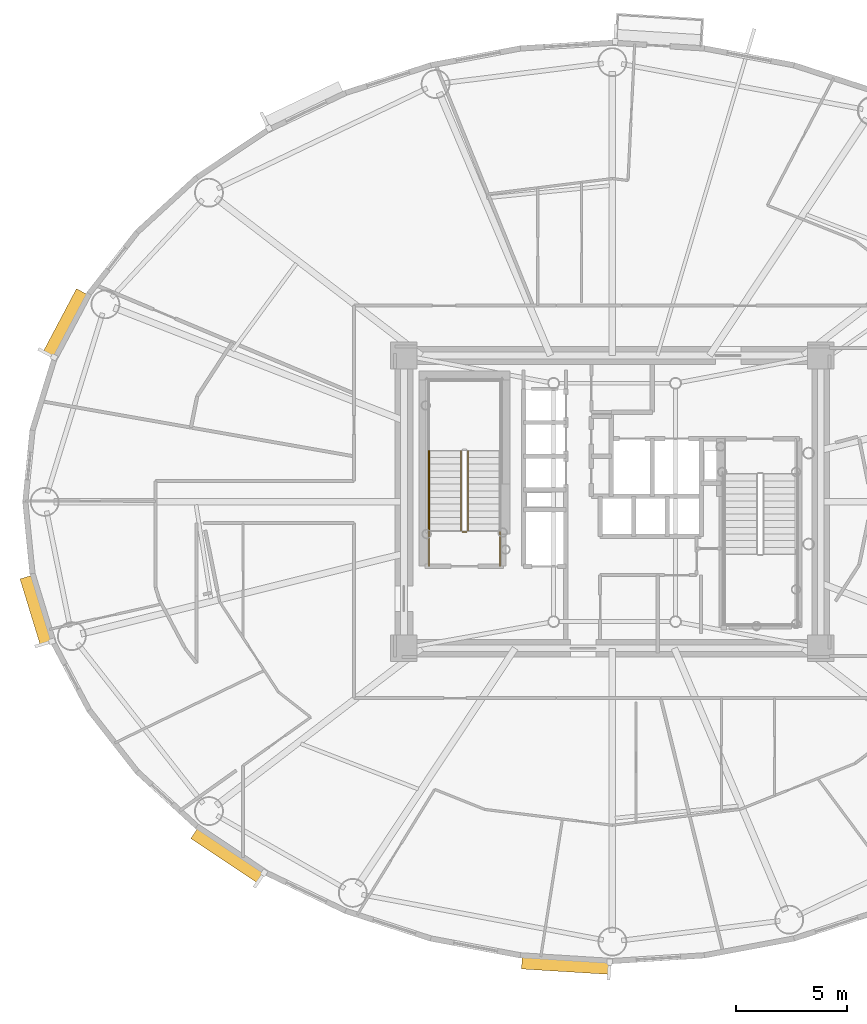
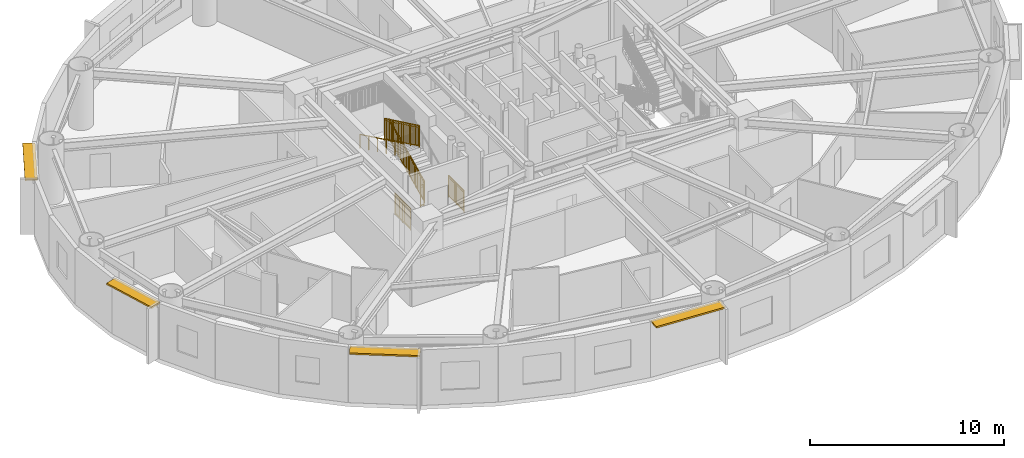
# One storey, part 12 of 18: 6 railings, 4 shading devices.
"""IFC4 building model written with IfcOpenShell, lengths in metres."""

import ifcopenshell
import ifcopenshell.guid

model = None  # the IFC model being written
_history = None  # IfcOwnerHistory: only IFC2X3 demands one
_inside = {}  # id of a spatial element -> (the spatial element, [elements in it])
_under = {}  # id of a project, library or spatial element -> (it, [spatial elements below it])
_declared = {}  # id of a project -> (the project, [libraries it declares])
_typed = {}  # id of a type object -> (the type object, [elements of that type])
_made_of = {}  # id of a material, layer set ... -> (it, [elements and type objects made of it])


def new_model(schema):
    """Start an empty IFC model of exactly this schema.

    Asked for "IFC4X3", IfcOpenShell would pick the latest addendum, in which some entities
    have other attributes; the version numbers below select the first issue.
    IFC2X3 requires an IfcOwnerHistory on every rooted entity: one is made here for all.
    """
    global model, _history
    if schema == "IFC4X3":
        model = ifcopenshell.file(schema_version=(4, 3, 0, 0))
    else:
        model = ifcopenshell.file(schema=schema)
    _inside.clear()
    _under.clear()
    _declared.clear()
    _typed.clear()
    _made_of.clear()
    _history = None
    if model.schema == "IFC2X3":
        org = make("IfcOrganization", Name="unknown")
        user = make(
            "IfcPersonAndOrganization",
            ThePerson=make("IfcPerson", FamilyName="unknown"),
            TheOrganization=org,
        )
        app = make(
            "IfcApplication",
            ApplicationDeveloper=org,
            Version="unknown",
            ApplicationFullName="unknown",
            ApplicationIdentifier="unknown",
        )
        _history = make(
            "IfcOwnerHistory",
            OwningUser=user,
            OwningApplication=app,
            ChangeAction="ADDED",
            CreationDate=0,
        )
    return model


def make(cls, **values):
    """One entity of the class cls with the attributes given. An attribute that is None is left unset."""
    return model.create_entity(
        cls, **{name: value for name, value in values.items() if value is not None}
    )


def rooted(cls, **values):
    """An entity with a GlobalId (a new one), such as an element, a storey or a relation."""
    return make(cls, GlobalId=ifcopenshell.guid.new(), OwnerHistory=_history, **values)


def si_unit(unit_type, name, prefix=None):
    """IfcSIUnit, for example si_unit("LENGTHUNIT", "METRE", prefix="MILLI")."""
    return make("IfcSIUnit", UnitType=unit_type, Prefix=prefix, Name=name)


def assignment(units):
    """IfcUnitAssignment: the units of a project."""
    return None if units is None else make("IfcUnitAssignment", Units=units)


def point(xyz):
    """IfcCartesianPoint."""
    return None if xyz is None else make("IfcCartesianPoint", Coordinates=xyz)


def direction(xyz):
    """IfcDirection."""
    return None if xyz is None else make("IfcDirection", DirectionRatios=xyz)


def frame(location, z_axis=None, x_axis=None):
    """IfcAxis2Placement3D, a coordinate frame: its origin and axes. An axis left out is left unset."""
    return make(
        "IfcAxis2Placement3D",
        Location=point(location),
        Axis=direction(z_axis),
        RefDirection=direction(x_axis),
    )


def frame_2d(location, x_axis=None):
    """IfcAxis2Placement2D, a coordinate frame in the plane: its origin and x axis."""
    return make(
        "IfcAxis2Placement2D", Location=point(location), RefDirection=direction(x_axis)
    )


def origin():
    """The frame at (0, 0, 0) with its axes left unset."""
    return frame((0.0, 0.0, 0.0))


def origin_2d():
    """The frame at (0, 0) in the plane with its x axis left unset."""
    return frame_2d((0.0, 0.0))


def place(relative_to, where):
    """IfcLocalPlacement: puts the frame where relative to a parent placement (None: the world)."""
    return make(
        "IfcLocalPlacement", PlacementRelTo=relative_to, RelativePlacement=where
    )


def context(
    kind, dimensions, precision=None, world=None, true_north=None, identifier=None
):
    """IfcGeometricRepresentationContext, for example the 3D "Model" context."""
    return make(
        "IfcGeometricRepresentationContext",
        ContextIdentifier=identifier,
        ContextType=kind,
        CoordinateSpaceDimension=dimensions,
        Precision=precision,
        WorldCoordinateSystem=world,
        TrueNorth=true_north,
    )


def subcontext(parent, identifier, kind, view, scale=None):
    """IfcGeometricRepresentationSubContext, for example "Body" below "Model"."""
    return make(
        "IfcGeometricRepresentationSubContext",
        ContextIdentifier=identifier,
        ContextType=kind,
        ParentContext=parent,
        TargetScale=scale,
        TargetView=view,
    )


def project(units=None, contexts=None):
    """IfcProject with its units and contexts."""
    return rooted(
        "IfcProject",
        Name="project",
        RepresentationContexts=contexts,
        UnitsInContext=assignment(units),
    )


def spatial(cls, under=None, at=None, **own):
    """A site, building, storey or space (cls), placed at a placement, below another one or the project."""
    s = rooted(cls, ObjectPlacement=at, **own)
    if under is not None:
        _under.setdefault(under.id(), (under, []))[1].append(s)
    return s


def profile(cls, at=None, kind="AREA", **sizes):
    """A parametric profile (cls). Its sizes go by their IFC names, for example OverallWidth=200.0."""
    return make(cls, ProfileType=kind, Position=at, **sizes)


def rectangle(**sizes):
    """IfcRectangleProfileDef."""
    return profile("IfcRectangleProfileDef", **sizes)


def extrude(swept, where, along, depth):
    """IfcExtrudedAreaSolid: the profile swept, set in the frame where, extruded along a direction by depth."""
    return make(
        "IfcExtrudedAreaSolid",
        SweptArea=swept,
        Position=where,
        ExtrudedDirection=direction(along),
        Depth=depth,
    )


def shape(context_of_items, identifier, shape_type, items):
    """IfcShapeRepresentation: the items that make up one representation, for example the "Body"."""
    return make(
        "IfcShapeRepresentation",
        ContextOfItems=context_of_items,
        RepresentationIdentifier=identifier,
        RepresentationType=shape_type,
        Items=items,
    )


def source(mapping_origin, context_of_items, identifier, shape_type, items):
    """IfcRepresentationMap: a shape defined once, which mapped items show again and again."""
    return make(
        "IfcRepresentationMap",
        MappingOrigin=mapping_origin,
        MappedRepresentation=shape(context_of_items, identifier, shape_type, items),
    )


def transform(
    local_origin,
    x_axis=None,
    y_axis=None,
    z_axis=None,
    scale=None,
    scale2=None,
    scale3=None,
    uniform=True,
):
    """IfcCartesianTransformationOperator3D, or its non-uniform kind. x_axis, y_axis, z_axis: its Axis1, 2, 3."""
    if uniform:
        return make(
            "IfcCartesianTransformationOperator3D",
            Axis1=direction(x_axis),
            Axis2=direction(y_axis),
            LocalOrigin=point(local_origin),
            Scale=scale,
            Axis3=direction(z_axis),
        )
    return make(
        "IfcCartesianTransformationOperator3DnonUniform",
        Axis1=direction(x_axis),
        Axis2=direction(y_axis),
        LocalOrigin=point(local_origin),
        Scale=scale,
        Axis3=direction(z_axis),
        Scale2=scale2,
        Scale3=scale3,
    )


def mapped(mapping_source, mapping_target):
    """IfcMappedItem: shows the shape of a source again, moved by a transform."""
    return make(
        "IfcMappedItem", MappingSource=mapping_source, MappingTarget=mapping_target
    )


def material(Name=None, Category=None):
    """IfcMaterial."""
    return make("IfcMaterial", Name=Name, Category=Category)


def layer(
    of_material, thickness, ventilated=None, Name=None, Category=None, Priority=None
):
    """IfcMaterialLayer: one layer of a wall or slab, of a material (None: an air gap)."""
    return make(
        "IfcMaterialLayer",
        Material=of_material,
        LayerThickness=thickness,
        IsVentilated=ventilated,
        Name=Name,
        Category=Category,
        Priority=Priority,
    )


def layer_set(layers, Name=None):
    """IfcMaterialLayerSet."""
    return make("IfcMaterialLayerSet", MaterialLayers=layers, LayerSetName=Name)


def made_of(thing, what):
    """Note that an element or type object is made of a material, layer set ...; save() writes the relation."""
    if what is not None:
        _made_of.setdefault(what.id(), (what, []))[1].append(thing)
    return thing


def type_object(cls, material=None, **own):
    """A type object (cls), such as IfcWallType, which elements share."""
    return made_of(rooted(cls, **own), material)


def element(
    cls,
    number,
    at=None,
    inside=None,
    cuts=None,
    type_object=None,
    material=None,
    context=None,
    identifier="Body",
    shape_type=None,
    held_by="IfcProductDefinitionShape",
    body=None,
    shapes=None,
    **own,
):
    """One element of the class cls, such as IfcWall. Its Tag is "e" and its number.

    at: its placement. inside: the storey or other place that contains it. cuts: it is an
    opening in that element (IfcRelVoidsElement). A single representation is given by context,
    identifier, shape_type and body (its items); several are given by shapes. held_by: the class
    of the entity that holds the representations. save() writes the other relations.
    """
    e = rooted(cls, Tag="e%d" % number, ObjectPlacement=at, **own)
    if body is not None:
        shapes = [shape(context, identifier, shape_type, body)]
    if shapes is not None:
        e.Representation = make(held_by, Representations=shapes)
    if inside is not None:
        _inside.setdefault(inside.id(), (inside, []))[1].append(e)
    if cuts is not None:
        rooted(
            "IfcRelVoidsElement", RelatingBuildingElement=cuts, RelatedOpeningElement=e
        )
    if type_object is not None:
        _typed.setdefault(type_object.id(), (type_object, []))[1].append(e)
    return made_of(e, material)


def aggregate(whole, parts):
    """IfcRelAggregates: a whole, such as a stair, and the parts it consists of."""
    return rooted("IfcRelAggregates", RelatingObject=whole, RelatedObjects=parts)


def save(model, path):
    """Write the relations noted so far, then the file.

    IfcRelAggregates (storeys below a building ...), IfcRelContainedInSpatialStructure (elements
    in a storey), IfcRelDefinesByType, IfcRelAssociatesMaterial and IfcRelDeclares: one each for
    every whole, place, type object, material and project.
    """
    for whole, parts in _under.values():
        aggregate(whole, parts)
    for where, things in _inside.values():
        rooted(
            "IfcRelContainedInSpatialStructure",
            RelatedElements=things,
            RelatingStructure=where,
        )
    for kind, things in _typed.values():
        rooted("IfcRelDefinesByType", RelatedObjects=things, RelatingType=kind)
    for what, things in _made_of.values():
        rooted("IfcRelAssociatesMaterial", RelatedObjects=things, RelatingMaterial=what)
    for by, libraries in _declared.values():
        rooted("IfcRelDeclares", RelatingContext=by, RelatedDefinitions=libraries)
    model.write(path)


model = new_model("IFC4")

# Units and contexts
model_context = context("Model", 3, precision=1e-05, world=origin(), true_north=direction((0.0, 1.0)))
body_context = subcontext(model_context, "Body", "Model", "MODEL_VIEW")
ifc_project = project(units=[si_unit("LENGTHUNIT", "METRE"), si_unit("AREAUNIT", "SQUARE_METRE"), si_unit("VOLUMEUNIT", "CUBIC_METRE"), si_unit("PLANEANGLEUNIT", "RADIAN"), si_unit("MASSUNIT", "GRAM", prefix="KILO")], contexts=[model_context])

# Site, building, storey
site_placement = place(None, origin())
site = spatial("IfcSite", under=ifc_project, at=site_placement, CompositionType="ELEMENT")
building_placement = place(site_placement, origin())
building = spatial("IfcBuilding", under=site, at=building_placement, Name="Linh Dai School and Residence Tower", CompositionType="ELEMENT")
storey_placement = place(building_placement, frame((0.0, 0.0, 186.14990234375)))
storey = spatial("IfcBuildingStorey", under=building, at=storey_placement, Name="L45", CompositionType="ELEMENT", Elevation=186.14990234375)

# Shading devices
ifc_material_1 = material(Name="Terracotta Ceramic Sunshade", Category="masonry")
ifc_layer = layer(ifc_material_1, 0.10009765625)
ifc_layer_set = layer_set([ifc_layer], Name="Terracotta Ceramic Sunshade")
shading_device_type = type_object("IfcShadingDeviceType", Name="SHD-TC-650", PredefinedType="USERDEFINED", material=ifc_layer_set)
shared_shape_1 = source(origin(), body_context, "Body", "SweptSolid", [
    extrude(rectangle(XDim=3.168212890625, YDim=0.64990234375, at=origin_2d()), origin(), (0.0, 0.0, 1.0), 0.10009765625),
])
shading_device_1_placement = place(storey_placement, frame((10.061279296875, 22.105224609375, 3.380126953125), z_axis=(0.0, 0.0, 1.0), x_axis=(-0.293121969301, 0.956075055167, 0.0)))
element("IfcShadingDevice", 1, at=shading_device_1_placement, inside=storey, type_object=shading_device_type, Name="L45 Terracotta Horizontal Sunshade Band 22", ObjectType="SUNSHADE", PredefinedType="USERDEFINED", context=body_context, shape_type="MappedRepresentation", body=[
    mapped(shared_shape_1, transform((0.0, 0.0, 0.0), x_axis=(1.0, 0.0, 0.0), y_axis=(0.0, 1.0, 0.0), z_axis=(0.0, 0.0, 1.0), scale=1.0)),
])
shared_shape_2 = source(origin(), body_context, "Body", "SweptSolid", [
    extrude(rectangle(XDim=3.64794921875, YDim=0.64990234375, at=origin_2d()), origin(), (0.0, 0.0, 1.0), 0.10009765625),
])
shading_device_2_placement = place(storey_placement, frame((18.68896484375, 11.076171875, 3.380126953125), z_axis=(0.0, 0.0, 1.0), x_axis=(-0.831228338651, 0.555931154932, 0.0)))
element("IfcShadingDevice", 2, at=shading_device_2_placement, inside=storey, type_object=shading_device_type, Name="L45 Terracotta Horizontal Sunshade Band 26", ObjectType="SUNSHADE", PredefinedType="USERDEFINED", context=body_context, shape_type="MappedRepresentation", body=[
    mapped(shared_shape_2, transform((0.0, 0.0, 0.0), x_axis=(1.0, 0.0, 0.0), y_axis=(0.0, 1.0, 0.0), z_axis=(0.0, 0.0, 1.0), scale=1.0)),
])
shared_shape_3 = source(origin(), body_context, "Body", "SweptSolid", [
    extrude(rectangle(XDim=3.987548828125, YDim=0.64990234375, at=origin_2d()), origin(), (0.0, 0.0, 1.0), 0.10009765625),
])
shading_device_3_placement = place(storey_placement, frame((33.90966796875, 6.13818359375, 3.380126953125), z_axis=(0.0, 0.0, 1.0), x_axis=(-0.99810632076, 0.061512376467, 0.0)))
element("IfcShadingDevice", 3, at=shading_device_3_placement, inside=storey, type_object=shading_device_type, Name="L45 Terracotta Horizontal Sunshade Band 30", ObjectType="SUNSHADE", PredefinedType="USERDEFINED", context=body_context, shape_type="MappedRepresentation", body=[
    mapped(shared_shape_3, transform((0.0, 0.0, 0.0), x_axis=(1.0, 0.0, 0.0), y_axis=(0.0, 1.0, 0.0), z_axis=(0.0, 0.0, 1.0), scale=1.0)),
])
shared_shape_4 = source(origin(), body_context, "Body", "SweptSolid", [
    extrude(rectangle(XDim=3.257568359375, YDim=0.64990234375, at=origin_2d()), origin(), (0.0, 0.0, 1.0), 0.10009765625),
])
shading_device_4_placement = place(storey_placement, frame((11.358642578125, 35.02197265625, 3.380126953125), z_axis=(0.0, 0.0, 1.0), x_axis=(0.467580060884, 0.883950726378, 0.0)))
element("IfcShadingDevice", 4, at=shading_device_4_placement, inside=storey, type_object=shading_device_type, Name="L45 Terracotta Horizontal Sunshade Band 18", ObjectType="SUNSHADE", PredefinedType="USERDEFINED", context=body_context, shape_type="MappedRepresentation", body=[
    mapped(shared_shape_4, transform((0.0, 0.0, 0.0), x_axis=(1.0, 0.0, 0.0), y_axis=(0.0, 1.0, 0.0), z_axis=(0.0, 0.0, 1.0), scale=1.0)),
])

# Railings
ifc_material_2 = material(Name="Structural Steel S355JR", Category="steel")
railing_type_1 = type_object("IfcRailingType", Name="RL-ST-GUARD-1400", PredefinedType="GUARDRAIL", material=ifc_material_2)
shared_shape_5 = source(origin(), body_context, "Body", "SweptSolid", [
    extrude(rectangle(XDim=0.048095703125, YDim=0.048095703125, at=origin_2d()), frame((0.0, 0.0, 1.3759765625), z_axis=(-1.0, 0.0, 0.0), x_axis=(0.0, -1.0, 0.0)), (0.0, 0.0, 1.0), 0.199951171875),
    extrude(rectangle(XDim=0.048095703125, YDim=0.048095703125, at=origin_2d()), frame((0.0, 0.0, 0.10009765625), z_axis=(-1.0, 0.0, 0.0), x_axis=(0.0, -1.0, 0.0)), (0.0, 0.0, 1.0), 0.199951171875),
    extrude(rectangle(XDim=0.030029296875, YDim=0.030029296875, at=origin_2d()), frame((0.0, 0.0, 1.239990234375), z_axis=(-1.0, 0.0, 0.0), x_axis=(0.0, -1.0, 0.0)), (0.0, 0.0, 1.0), 0.199951171875),
    extrude(rectangle(XDim=0.0419921875, YDim=0.0419921875, at=origin_2d()), origin(), (0.0, 0.0, 1.0), 1.3759765625),
    extrude(rectangle(XDim=0.0419921875, YDim=0.0419921875, at=origin_2d()), frame((-0.199951171875, 0.0, 0.0)), (0.0, 0.0, 1.0), 1.3759765625),
])
railing_1_placement = place(storey_placement, frame((29.429931640625, 25.64990234375, 0.0)))
element("IfcRailing", 5, at=railing_1_placement, inside=storey, type_object=railing_type_1, Name="L45 ST1 stair guard 7", PredefinedType="GUARDRAIL", context=body_context, shape_type="MappedRepresentation", body=[
    mapped(shared_shape_5, transform((0.0, 0.0, 0.0), x_axis=(1.0, 0.0, 0.0), y_axis=(0.0, 1.0, 0.0), z_axis=(0.0, 0.0, 1.0), scale=1.0)),
])
shared_shape_6 = source(origin(), body_context, "Body", "SweptSolid", [
    extrude(rectangle(XDim=0.048095703125, YDim=0.048095703125, at=origin_2d()), frame((0.0, 0.0, 1.3759765625), z_axis=(0.0, 1.0, 0.0), x_axis=(-1.0, 0.0, 0.0)), (0.0, 0.0, 1.0), 1.599853515625),
    extrude(rectangle(XDim=0.048095703125, YDim=0.048095703125, at=origin_2d()), frame((0.0, 0.0, 0.10009765625), z_axis=(0.0, 1.0, 0.0), x_axis=(-1.0, 0.0, 0.0)), (0.0, 0.0, 1.0), 1.599853515625),
    extrude(rectangle(XDim=0.030029296875, YDim=0.030029296875, at=origin_2d()), frame((0.0, 0.0, 1.239990234375), z_axis=(0.0, 1.0, 0.0), x_axis=(-1.0, 0.0, 0.0)), (0.0, 0.0, 1.0), 1.599853515625),
    extrude(rectangle(XDim=0.02001953125, YDim=0.02001953125, at=origin_2d()), frame((0.0, 0.093994140625, 0.10009765625)), (0.0, 0.0, 1.0), 1.251708984375),
    extrude(rectangle(XDim=0.02001953125, YDim=0.02001953125, at=origin_2d()), frame((0.0, 0.188232421875, 0.10009765625)), (0.0, 0.0, 1.0), 1.251708984375),
    extrude(rectangle(XDim=0.02001953125, YDim=0.02001953125, at=origin_2d()), frame((0.0, 0.2822265625, 0.10009765625)), (0.0, 0.0, 1.0), 1.251708984375),
    extrude(rectangle(XDim=0.02001953125, YDim=0.02001953125, at=origin_2d()), frame((0.0, 0.37646484375, 0.10009765625)), (0.0, 0.0, 1.0), 1.251708984375),
    extrude(rectangle(XDim=0.02001953125, YDim=0.02001953125, at=origin_2d()), frame((0.0, 0.470458984375, 0.10009765625)), (0.0, 0.0, 1.0), 1.251708984375),
    extrude(rectangle(XDim=0.02001953125, YDim=0.02001953125, at=origin_2d()), frame((0.0, 0.564697265625, 0.10009765625)), (0.0, 0.0, 1.0), 1.251708984375),
    extrude(rectangle(XDim=0.02001953125, YDim=0.02001953125, at=origin_2d()), frame((0.0, 0.65869140625, 0.10009765625)), (0.0, 0.0, 1.0), 1.251708984375),
    extrude(rectangle(XDim=0.02001953125, YDim=0.02001953125, at=origin_2d()), frame((0.0, 0.7529296875, 0.10009765625)), (0.0, 0.0, 1.0), 1.251708984375),
    extrude(rectangle(XDim=0.02001953125, YDim=0.02001953125, at=origin_2d()), frame((0.0, 0.846923828125, 0.10009765625)), (0.0, 0.0, 1.0), 1.251708984375),
    extrude(rectangle(XDim=0.02001953125, YDim=0.02001953125, at=origin_2d()), frame((0.0, 0.941162109375, 0.10009765625)), (0.0, 0.0, 1.0), 1.251708984375),
    extrude(rectangle(XDim=0.02001953125, YDim=0.02001953125, at=origin_2d()), frame((0.0, 1.03515625, 0.10009765625)), (0.0, 0.0, 1.0), 1.251708984375),
    extrude(rectangle(XDim=0.02001953125, YDim=0.02001953125, at=origin_2d()), frame((0.0, 1.12939453125, 0.10009765625)), (0.0, 0.0, 1.0), 1.251708984375),
    extrude(rectangle(XDim=0.02001953125, YDim=0.02001953125, at=origin_2d()), frame((0.0, 1.223388671875, 0.10009765625)), (0.0, 0.0, 1.0), 1.251708984375),
    extrude(rectangle(XDim=0.02001953125, YDim=0.02001953125, at=origin_2d()), frame((0.0, 1.317626953125, 0.10009765625)), (0.0, 0.0, 1.0), 1.251708984375),
    extrude(rectangle(XDim=0.02001953125, YDim=0.02001953125, at=origin_2d()), frame((0.0, 1.41162109375, 0.10009765625)), (0.0, 0.0, 1.0), 1.251708984375),
    extrude(rectangle(XDim=0.02001953125, YDim=0.02001953125, at=origin_2d()), frame((0.0, 1.505859375, 0.10009765625)), (0.0, 0.0, 1.0), 1.251708984375),
    extrude(rectangle(XDim=0.0419921875, YDim=0.0419921875, at=origin_2d()), origin(), (0.0, 0.0, 1.0), 1.3759765625),
    extrude(rectangle(XDim=0.0419921875, YDim=0.0419921875, at=origin_2d()), frame((0.0, 0.7998046875, 0.0)), (0.0, 0.0, 1.0), 1.3759765625),
    extrude(rectangle(XDim=0.0419921875, YDim=0.0419921875, at=origin_2d()), frame((0.0, 1.599853515625, 0.0)), (0.0, 0.0, 1.0), 1.3759765625),
])
for number, where, name in (
    (6, (30.929931640625, 24.10009765625, 0.0), "L45 ST1 stair guard 8"),
    (7, (27.72998046875, 24.10009765625, 0.0), "L45 ST1 stair guard 9"),
):
    element("IfcRailing", number, at=place(storey_placement, frame(where)), inside=storey, type_object=railing_type_1, Name=name, PredefinedType="GUARDRAIL", context=body_context, shape_type="MappedRepresentation", body=[
        mapped(shared_shape_6, transform((0.0, 0.0, 0.0), x_axis=(1.0, 0.0, 0.0), y_axis=(0.0, 1.0, 0.0), z_axis=(0.0, 0.0, 1.0), scale=1.0)),
    ])
shared_shape_7 = source(origin(), body_context, "Body", "SweptSolid", [
    extrude(rectangle(XDim=0.048095703125, YDim=0.048095703125, at=origin_2d()), frame((0.0, 0.0, 1.3759765625), z_axis=(0.0, 0.901262522062, 0.433273431364), x_axis=(-1.0, 0.0, 0.0)), (0.0, 0.0, 1.0), 3.994384765625),
    extrude(rectangle(XDim=0.048095703125, YDim=0.048095703125, at=origin_2d()), frame((0.0, 0.0, 0.10009765625), z_axis=(0.0, 0.901262522062, 0.433273431364), x_axis=(-1.0, 0.0, 0.0)), (0.0, 0.0, 1.0), 3.994384765625),
    extrude(rectangle(XDim=0.030029296875, YDim=0.030029296875, at=origin_2d()), frame((0.0, 0.0, 1.239990234375), z_axis=(0.0, 0.901262522062, 0.433273431364), x_axis=(-1.0, 0.0, 0.0)), (0.0, 0.0, 1.0), 3.994384765625),
    extrude(rectangle(XDim=0.02001953125, YDim=0.02001953125, at=origin_2d()), frame((0.0, 0.087890625, 0.142333984375)), (0.0, 0.0, 1.0), 1.251708984375),
    extrude(rectangle(XDim=0.02001953125, YDim=0.02001953125, at=origin_2d()), frame((0.0, 0.175537109375, 0.1845703125)), (0.0, 0.0, 1.0), 1.251708984375),
    extrude(rectangle(XDim=0.02001953125, YDim=0.02001953125, at=origin_2d()), frame((0.0, 0.263427734375, 0.226806640625)), (0.0, 0.0, 1.0), 1.251708984375),
    extrude(rectangle(XDim=0.02001953125, YDim=0.02001953125, at=origin_2d()), frame((0.0, 0.351318359375, 0.26904296875)), (0.0, 0.0, 1.0), 1.251708984375),
    extrude(rectangle(XDim=0.02001953125, YDim=0.02001953125, at=origin_2d()), frame((0.0, 0.43896484375, 0.311279296875)), (0.0, 0.0, 1.0), 1.251708984375),
    extrude(rectangle(XDim=0.02001953125, YDim=0.02001953125, at=origin_2d()), frame((0.0, 0.52685546875, 0.353271484375)), (0.0, 0.0, 1.0), 1.251708984375),
    extrude(rectangle(XDim=0.02001953125, YDim=0.02001953125, at=origin_2d()), frame((0.0, 0.61474609375, 0.3955078125)), (0.0, 0.0, 1.0), 1.251708984375),
    extrude(rectangle(XDim=0.02001953125, YDim=0.02001953125, at=origin_2d()), frame((0.0, 0.702392578125, 0.437744140625)), (0.0, 0.0, 1.0), 1.251708984375),
    extrude(rectangle(XDim=0.02001953125, YDim=0.02001953125, at=origin_2d()), frame((0.0, 0.790283203125, 0.47998046875)), (0.0, 0.0, 1.0), 1.251708984375),
    extrude(rectangle(XDim=0.02001953125, YDim=0.02001953125, at=origin_2d()), frame((0.0, 0.9658203125, 0.564453125)), (0.0, 0.0, 1.0), 1.251708984375),
    extrude(rectangle(XDim=0.02001953125, YDim=0.02001953125, at=origin_2d()), frame((0.0, 1.0537109375, 0.606689453125)), (0.0, 0.0, 1.0), 1.251708984375),
    extrude(rectangle(XDim=0.02001953125, YDim=0.02001953125, at=origin_2d()), frame((0.0, 1.1416015625, 0.64892578125)), (0.0, 0.0, 1.0), 1.251708984375),
    extrude(rectangle(XDim=0.02001953125, YDim=0.02001953125, at=origin_2d()), frame((0.0, 1.229248046875, 0.691162109375)), (0.0, 0.0, 1.0), 1.251708984375),
    extrude(rectangle(XDim=0.02001953125, YDim=0.02001953125, at=origin_2d()), frame((0.0, 1.317138671875, 0.7333984375)), (0.0, 0.0, 1.0), 1.251708984375),
    extrude(rectangle(XDim=0.02001953125, YDim=0.02001953125, at=origin_2d()), frame((0.0, 1.405029296875, 0.775390625)), (0.0, 0.0, 1.0), 1.251708984375),
    extrude(rectangle(XDim=0.02001953125, YDim=0.02001953125, at=origin_2d()), frame((0.0, 1.49267578125, 0.817626953125)), (0.0, 0.0, 1.0), 1.251708984375),
    extrude(rectangle(XDim=0.02001953125, YDim=0.02001953125, at=origin_2d()), frame((0.0, 1.58056640625, 0.85986328125)), (0.0, 0.0, 1.0), 1.251708984375),
    extrude(rectangle(XDim=0.02001953125, YDim=0.02001953125, at=origin_2d()), frame((0.0, 1.66845703125, 0.902099609375)), (0.0, 0.0, 1.0), 1.251708984375),
    extrude(rectangle(XDim=0.02001953125, YDim=0.02001953125, at=origin_2d()), frame((0.0, 1.756103515625, 0.9443359375)), (0.0, 0.0, 1.0), 1.251708984375),
    extrude(rectangle(XDim=0.02001953125, YDim=0.02001953125, at=origin_2d()), frame((0.0, 1.843994140625, 0.986572265625)), (0.0, 0.0, 1.0), 1.251708984375),
    extrude(rectangle(XDim=0.02001953125, YDim=0.02001953125, at=origin_2d()), frame((0.0, 1.931640625, 1.02880859375)), (0.0, 0.0, 1.0), 1.251708984375),
    extrude(rectangle(XDim=0.02001953125, YDim=0.02001953125, at=origin_2d()), frame((0.0, 2.01953125, 1.071044921875)), (0.0, 0.0, 1.0), 1.251708984375),
    extrude(rectangle(XDim=0.02001953125, YDim=0.02001953125, at=origin_2d()), frame((0.0, 2.107421875, 1.11328125)), (0.0, 0.0, 1.0), 1.251708984375),
    extrude(rectangle(XDim=0.02001953125, YDim=0.02001953125, at=origin_2d()), frame((0.0, 2.195068359375, 1.155517578125)), (0.0, 0.0, 1.0), 1.251708984375),
    extrude(rectangle(XDim=0.02001953125, YDim=0.02001953125, at=origin_2d()), frame((0.0, 2.282958984375, 1.197509765625)), (0.0, 0.0, 1.0), 1.251708984375),
    extrude(rectangle(XDim=0.02001953125, YDim=0.02001953125, at=origin_2d()), frame((0.0, 2.370849609375, 1.23974609375)), (0.0, 0.0, 1.0), 1.251708984375),
    extrude(rectangle(XDim=0.02001953125, YDim=0.02001953125, at=origin_2d()), frame((0.0, 2.45849609375, 1.281982421875)), (0.0, 0.0, 1.0), 1.251708984375),
    extrude(rectangle(XDim=0.02001953125, YDim=0.02001953125, at=origin_2d()), frame((0.0, 2.54638671875, 1.32421875)), (0.0, 0.0, 1.0), 1.251708984375),
    extrude(rectangle(XDim=0.02001953125, YDim=0.02001953125, at=origin_2d()), frame((0.0, 2.63427734375, 1.366455078125)), (0.0, 0.0, 1.0), 1.251708984375),
    extrude(rectangle(XDim=0.02001953125, YDim=0.02001953125, at=origin_2d()), frame((0.0, 2.809814453125, 1.450927734375)), (0.0, 0.0, 1.0), 1.251708984375),
    extrude(rectangle(XDim=0.02001953125, YDim=0.02001953125, at=origin_2d()), frame((0.0, 2.897705078125, 1.4931640625)), (0.0, 0.0, 1.0), 1.251708984375),
    extrude(rectangle(XDim=0.02001953125, YDim=0.02001953125, at=origin_2d()), frame((0.0, 2.9853515625, 1.535400390625)), (0.0, 0.0, 1.0), 1.251708984375),
    extrude(rectangle(XDim=0.02001953125, YDim=0.02001953125, at=origin_2d()), frame((0.0, 3.0732421875, 1.57763671875)), (0.0, 0.0, 1.0), 1.251708984375),
    extrude(rectangle(XDim=0.02001953125, YDim=0.02001953125, at=origin_2d()), frame((0.0, 3.1611328125, 1.61962890625)), (0.0, 0.0, 1.0), 1.251708984375),
    extrude(rectangle(XDim=0.02001953125, YDim=0.02001953125, at=origin_2d()), frame((0.0, 3.248779296875, 1.661865234375)), (0.0, 0.0, 1.0), 1.251708984375),
    extrude(rectangle(XDim=0.02001953125, YDim=0.02001953125, at=origin_2d()), frame((0.0, 3.336669921875, 1.7041015625)), (0.0, 0.0, 1.0), 1.251708984375),
    extrude(rectangle(XDim=0.02001953125, YDim=0.02001953125, at=origin_2d()), frame((0.0, 3.424560546875, 1.746337890625)), (0.0, 0.0, 1.0), 1.251708984375),
    extrude(rectangle(XDim=0.02001953125, YDim=0.02001953125, at=origin_2d()), frame((0.0, 3.51220703125, 1.78857421875)), (0.0, 0.0, 1.0), 1.251708984375),
    extrude(rectangle(XDim=0.0419921875, YDim=0.0419921875, at=origin_2d()), origin(), (0.0, 0.0, 1.0), 1.3759765625),
    extrude(rectangle(XDim=0.0419921875, YDim=0.0419921875, at=origin_2d()), frame((0.0, 0.89990234375, 0.4326171875)), (0.0, 0.0, 1.0), 1.3759765625),
    extrude(rectangle(XDim=0.0419921875, YDim=0.0419921875, at=origin_2d()), frame((0.0, 1.800048828125, 0.865234375)), (0.0, 0.0, 1.0), 1.3759765625),
    extrude(rectangle(XDim=0.0419921875, YDim=0.0419921875, at=origin_2d()), frame((0.0, 2.7001953125, 1.298095703125)), (0.0, 0.0, 1.0), 1.3759765625),
    extrude(rectangle(XDim=0.0419921875, YDim=0.0419921875, at=origin_2d()), frame((0.0, 3.60009765625, 1.730712890625)), (0.0, 0.0, 1.0), 1.3759765625),
])
railing_2_placement = place(storey_placement, frame((29.47998046875, 25.699951171875, 0.144287109375)))
element("IfcRailing", 8, at=railing_2_placement, inside=storey, type_object=railing_type_1, Name="L45 ST1 stair guard 1", PredefinedType="GUARDRAIL", context=body_context, shape_type="MappedRepresentation", body=[
    mapped(shared_shape_7, transform((0.0, 0.0, 0.0), x_axis=(1.0, 0.0, 0.0), y_axis=(0.0, 1.0, 0.0), z_axis=(0.0, 0.0, 1.0), scale=1.0)),
])
shared_shape_8 = source(origin(), body_context, "Body", "SweptSolid", [
    extrude(rectangle(XDim=0.048095703125, YDim=0.048095703125, at=origin_2d()), frame((0.0, 0.0, 1.3759765625), z_axis=(0.0, -0.901262522062, 0.433273431364), x_axis=(1.0, 0.0, 0.0)), (0.0, 0.0, 1.0), 3.994384765625),
    extrude(rectangle(XDim=0.048095703125, YDim=0.048095703125, at=origin_2d()), frame((0.0, 0.0, 0.10009765625), z_axis=(0.0, -0.901262522062, 0.433273431364), x_axis=(1.0, 0.0, 0.0)), (0.0, 0.0, 1.0), 3.994384765625),
    extrude(rectangle(XDim=0.030029296875, YDim=0.030029296875, at=origin_2d()), frame((0.0, 0.0, 1.239990234375), z_axis=(0.0, -0.901262522062, 0.433273431364), x_axis=(1.0, 0.0, 0.0)), (0.0, 0.0, 1.0), 3.994384765625),
    extrude(rectangle(XDim=0.02001953125, YDim=0.02001953125, at=origin_2d()), frame((0.0, -0.087890625, 0.142333984375)), (0.0, 0.0, 1.0), 1.251708984375),
    extrude(rectangle(XDim=0.02001953125, YDim=0.02001953125, at=origin_2d()), frame((0.0, -0.175537109375, 0.1845703125)), (0.0, 0.0, 1.0), 1.251708984375),
    extrude(rectangle(XDim=0.02001953125, YDim=0.02001953125, at=origin_2d()), frame((0.0, -0.263427734375, 0.226806640625)), (0.0, 0.0, 1.0), 1.251708984375),
    extrude(rectangle(XDim=0.02001953125, YDim=0.02001953125, at=origin_2d()), frame((0.0, -0.351318359375, 0.26904296875)), (0.0, 0.0, 1.0), 1.251708984375),
    extrude(rectangle(XDim=0.02001953125, YDim=0.02001953125, at=origin_2d()), frame((0.0, -0.43896484375, 0.311279296875)), (0.0, 0.0, 1.0), 1.251708984375),
    extrude(rectangle(XDim=0.02001953125, YDim=0.02001953125, at=origin_2d()), frame((0.0, -0.52685546875, 0.353271484375)), (0.0, 0.0, 1.0), 1.251708984375),
    extrude(rectangle(XDim=0.02001953125, YDim=0.02001953125, at=origin_2d()), frame((0.0, -0.61474609375, 0.3955078125)), (0.0, 0.0, 1.0), 1.251708984375),
    extrude(rectangle(XDim=0.02001953125, YDim=0.02001953125, at=origin_2d()), frame((0.0, -0.702392578125, 0.437744140625)), (0.0, 0.0, 1.0), 1.251708984375),
    extrude(rectangle(XDim=0.02001953125, YDim=0.02001953125, at=origin_2d()), frame((0.0, -0.790283203125, 0.47998046875)), (0.0, 0.0, 1.0), 1.251708984375),
    extrude(rectangle(XDim=0.02001953125, YDim=0.02001953125, at=origin_2d()), frame((0.0, -0.9658203125, 0.564453125)), (0.0, 0.0, 1.0), 1.251708984375),
    extrude(rectangle(XDim=0.02001953125, YDim=0.02001953125, at=origin_2d()), frame((0.0, -1.0537109375, 0.606689453125)), (0.0, 0.0, 1.0), 1.251708984375),
    extrude(rectangle(XDim=0.02001953125, YDim=0.02001953125, at=origin_2d()), frame((0.0, -1.1416015625, 0.64892578125)), (0.0, 0.0, 1.0), 1.251708984375),
    extrude(rectangle(XDim=0.02001953125, YDim=0.02001953125, at=origin_2d()), frame((0.0, -1.229248046875, 0.691162109375)), (0.0, 0.0, 1.0), 1.251708984375),
    extrude(rectangle(XDim=0.02001953125, YDim=0.02001953125, at=origin_2d()), frame((0.0, -1.317138671875, 0.7333984375)), (0.0, 0.0, 1.0), 1.251708984375),
    extrude(rectangle(XDim=0.02001953125, YDim=0.02001953125, at=origin_2d()), frame((0.0, -1.405029296875, 0.775390625)), (0.0, 0.0, 1.0), 1.251708984375),
    extrude(rectangle(XDim=0.02001953125, YDim=0.02001953125, at=origin_2d()), frame((0.0, -1.49267578125, 0.817626953125)), (0.0, 0.0, 1.0), 1.251708984375),
    extrude(rectangle(XDim=0.02001953125, YDim=0.02001953125, at=origin_2d()), frame((0.0, -1.58056640625, 0.85986328125)), (0.0, 0.0, 1.0), 1.251708984375),
    extrude(rectangle(XDim=0.02001953125, YDim=0.02001953125, at=origin_2d()), frame((0.0, -1.66845703125, 0.902099609375)), (0.0, 0.0, 1.0), 1.251708984375),
    extrude(rectangle(XDim=0.02001953125, YDim=0.02001953125, at=origin_2d()), frame((0.0, -1.756103515625, 0.9443359375)), (0.0, 0.0, 1.0), 1.251708984375),
    extrude(rectangle(XDim=0.02001953125, YDim=0.02001953125, at=origin_2d()), frame((0.0, -1.843994140625, 0.986572265625)), (0.0, 0.0, 1.0), 1.251708984375),
    extrude(rectangle(XDim=0.02001953125, YDim=0.02001953125, at=origin_2d()), frame((0.0, -1.931640625, 1.02880859375)), (0.0, 0.0, 1.0), 1.251708984375),
    extrude(rectangle(XDim=0.02001953125, YDim=0.02001953125, at=origin_2d()), frame((0.0, -2.01953125, 1.071044921875)), (0.0, 0.0, 1.0), 1.251708984375),
    extrude(rectangle(XDim=0.02001953125, YDim=0.02001953125, at=origin_2d()), frame((0.0, -2.107421875, 1.11328125)), (0.0, 0.0, 1.0), 1.251708984375),
    extrude(rectangle(XDim=0.02001953125, YDim=0.02001953125, at=origin_2d()), frame((0.0, -2.195068359375, 1.155517578125)), (0.0, 0.0, 1.0), 1.251708984375),
    extrude(rectangle(XDim=0.02001953125, YDim=0.02001953125, at=origin_2d()), frame((0.0, -2.282958984375, 1.197509765625)), (0.0, 0.0, 1.0), 1.251708984375),
    extrude(rectangle(XDim=0.02001953125, YDim=0.02001953125, at=origin_2d()), frame((0.0, -2.370849609375, 1.23974609375)), (0.0, 0.0, 1.0), 1.251708984375),
    extrude(rectangle(XDim=0.02001953125, YDim=0.02001953125, at=origin_2d()), frame((0.0, -2.45849609375, 1.281982421875)), (0.0, 0.0, 1.0), 1.251708984375),
    extrude(rectangle(XDim=0.02001953125, YDim=0.02001953125, at=origin_2d()), frame((0.0, -2.54638671875, 1.32421875)), (0.0, 0.0, 1.0), 1.251708984375),
    extrude(rectangle(XDim=0.02001953125, YDim=0.02001953125, at=origin_2d()), frame((0.0, -2.63427734375, 1.366455078125)), (0.0, 0.0, 1.0), 1.251708984375),
    extrude(rectangle(XDim=0.02001953125, YDim=0.02001953125, at=origin_2d()), frame((0.0, -2.809814453125, 1.450927734375)), (0.0, 0.0, 1.0), 1.251708984375),
    extrude(rectangle(XDim=0.02001953125, YDim=0.02001953125, at=origin_2d()), frame((0.0, -2.897705078125, 1.4931640625)), (0.0, 0.0, 1.0), 1.251708984375),
    extrude(rectangle(XDim=0.02001953125, YDim=0.02001953125, at=origin_2d()), frame((0.0, -2.9853515625, 1.535400390625)), (0.0, 0.0, 1.0), 1.251708984375),
    extrude(rectangle(XDim=0.02001953125, YDim=0.02001953125, at=origin_2d()), frame((0.0, -3.0732421875, 1.57763671875)), (0.0, 0.0, 1.0), 1.251708984375),
    extrude(rectangle(XDim=0.02001953125, YDim=0.02001953125, at=origin_2d()), frame((0.0, -3.1611328125, 1.61962890625)), (0.0, 0.0, 1.0), 1.251708984375),
    extrude(rectangle(XDim=0.02001953125, YDim=0.02001953125, at=origin_2d()), frame((0.0, -3.248779296875, 1.661865234375)), (0.0, 0.0, 1.0), 1.251708984375),
    extrude(rectangle(XDim=0.02001953125, YDim=0.02001953125, at=origin_2d()), frame((0.0, -3.336669921875, 1.7041015625)), (0.0, 0.0, 1.0), 1.251708984375),
    extrude(rectangle(XDim=0.02001953125, YDim=0.02001953125, at=origin_2d()), frame((0.0, -3.424560546875, 1.746337890625)), (0.0, 0.0, 1.0), 1.251708984375),
    extrude(rectangle(XDim=0.02001953125, YDim=0.02001953125, at=origin_2d()), frame((0.0, -3.51220703125, 1.78857421875)), (0.0, 0.0, 1.0), 1.251708984375),
    extrude(rectangle(XDim=0.0419921875, YDim=0.0419921875, at=origin_2d()), origin(), (0.0, 0.0, 1.0), 1.3759765625),
    extrude(rectangle(XDim=0.0419921875, YDim=0.0419921875, at=origin_2d()), frame((0.0, -0.89990234375, 0.4326171875)), (0.0, 0.0, 1.0), 1.3759765625),
    extrude(rectangle(XDim=0.0419921875, YDim=0.0419921875, at=origin_2d()), frame((0.0, -1.800048828125, 0.865234375)), (0.0, 0.0, 1.0), 1.3759765625),
    extrude(rectangle(XDim=0.0419921875, YDim=0.0419921875, at=origin_2d()), frame((0.0, -2.7001953125, 1.298095703125)), (0.0, 0.0, 1.0), 1.3759765625),
    extrude(rectangle(XDim=0.0419921875, YDim=0.0419921875, at=origin_2d()), frame((0.0, -3.60009765625, 1.730712890625)), (0.0, 0.0, 1.0), 1.3759765625),
])
railing_3_placement = place(storey_placement, frame((29.179931640625, 29.300048828125, 2.019287109375)))
element("IfcRailing", 9, at=railing_3_placement, inside=storey, type_object=railing_type_1, Name="L45 ST1 stair guard 6", PredefinedType="GUARDRAIL", context=body_context, shape_type="MappedRepresentation", body=[
    mapped(shared_shape_8, transform((0.0, 0.0, 0.0), x_axis=(1.0, 0.0, 0.0), y_axis=(0.0, 1.0, 0.0), z_axis=(0.0, 0.0, 1.0), scale=1.0)),
])
ifc_material_3 = material(Name="Brushed Stainless Steel Handrail", Category="steel")
railing_type_2 = type_object("IfcRailingType", Name="RL-ST-HANDRAIL-900", PredefinedType="HANDRAIL", material=ifc_material_3)
shared_shape_9 = source(origin(), body_context, "Body", "SweptSolid", [
    extrude(rectangle(XDim=0.048095703125, YDim=0.048095703125, at=origin_2d()), frame((0.0, 0.0, 0.8759765625), z_axis=(0.0, -0.901262522062, 0.433273431364), x_axis=(1.0, 0.0, 0.0)), (0.0, 0.0, 1.0), 3.994384765625),
    extrude(rectangle(XDim=0.0419921875, YDim=0.0419921875, at=origin_2d()), origin(), (0.0, 0.0, 1.0), 0.8759765625),
    extrude(rectangle(XDim=0.0419921875, YDim=0.0419921875, at=origin_2d()), frame((0.0, -0.89990234375, 0.4326171875)), (0.0, 0.0, 1.0), 0.8759765625),
    extrude(rectangle(XDim=0.0419921875, YDim=0.0419921875, at=origin_2d()), frame((0.0, -1.800048828125, 0.865234375)), (0.0, 0.0, 1.0), 0.8759765625),
    extrude(rectangle(XDim=0.0419921875, YDim=0.0419921875, at=origin_2d()), frame((0.0, -2.7001953125, 1.298095703125)), (0.0, 0.0, 1.0), 0.8759765625),
    extrude(rectangle(XDim=0.0419921875, YDim=0.0419921875, at=origin_2d()), frame((0.0, -3.60009765625, 1.730712890625)), (0.0, 0.0, 1.0), 0.8759765625),
])
railing_4_placement = place(storey_placement, frame((27.72998046875, 29.300048828125, 2.019287109375)))
element("IfcRailing", 10, at=railing_4_placement, inside=storey, type_object=railing_type_2, Name="L45 ST1 stair handrail 2", PredefinedType="HANDRAIL", context=body_context, shape_type="MappedRepresentation", body=[
    mapped(shared_shape_9, transform((0.0, 0.0, 0.0), x_axis=(1.0, 0.0, 0.0), y_axis=(0.0, 1.0, 0.0), z_axis=(0.0, 0.0, 1.0), scale=1.0)),
])

save(model, "model.ifc")
